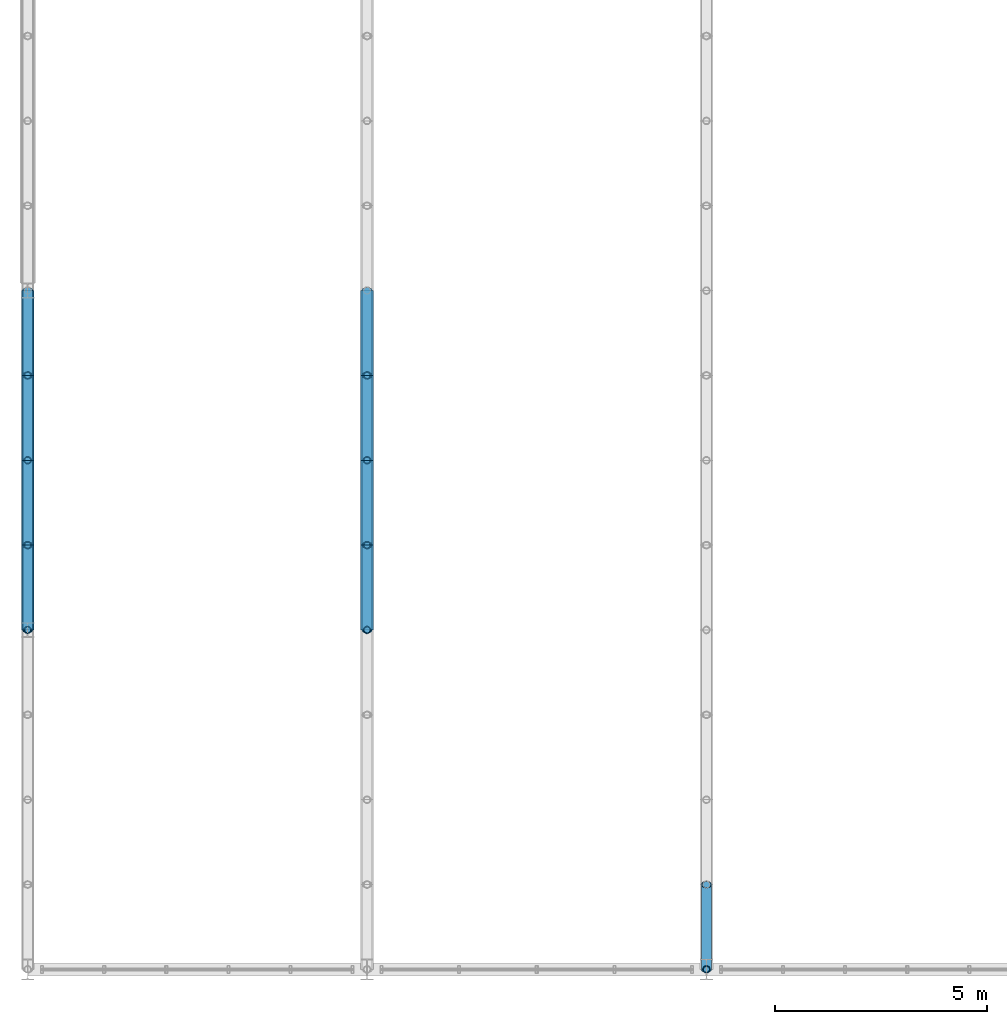
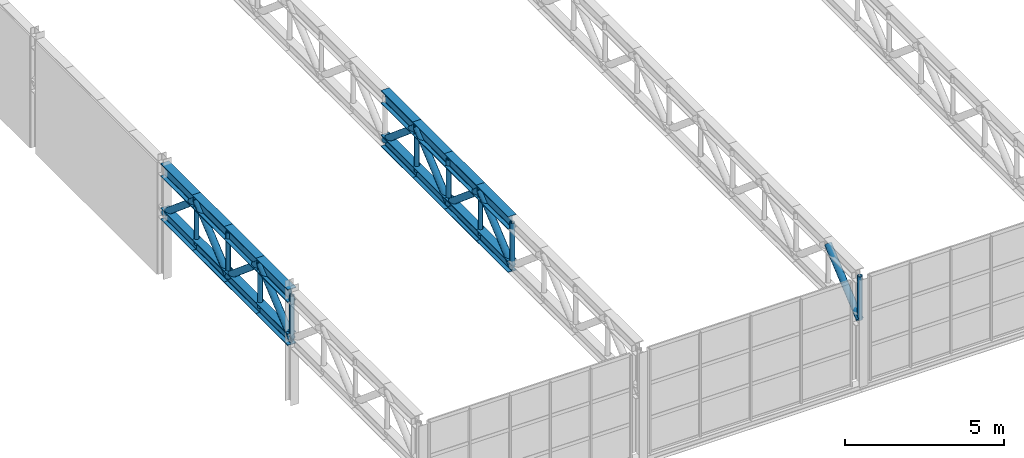
# One storey, part 12 of 67: 34 members.
"""IFC4 building model written with IfcOpenShell, lengths in metres."""

from ifc_helpers import new_model, si_unit, derived_unit, direction, frame, origin, origin_2d, place, context, subcontext, project, spatial, hollow_circle, i_section, extrude, material, material_profile, profile_set, type_object, element, save


model = new_model("IFC4")

# Units and contexts
model_context = context("Model", 3, precision=1e-05, world=origin(), true_north=direction((0.0, 1.0)))
body_context = subcontext(model_context, "Body", "Model", "MODEL_VIEW")
ifc_project = project(units=[si_unit("LENGTHUNIT", "METRE"), si_unit("AREAUNIT", "SQUARE_METRE"), si_unit("VOLUMEUNIT", "CUBIC_METRE"), si_unit("PLANEANGLEUNIT", "RADIAN"), si_unit("MASSUNIT", "GRAM", prefix="KILO"), derived_unit("THERMALTRANSMITTANCEUNIT", [(si_unit("POWERUNIT", "WATT"), 1), (si_unit("LENGTHUNIT", "METRE"), -2), (si_unit("THERMODYNAMICTEMPERATUREUNIT", "KELVIN"), -1)])], contexts=[model_context])

# Site, building, storey
site_placement = place(None, origin())
site = spatial("IfcSite", under=ifc_project, at=site_placement, CompositionType="ELEMENT")
building_placement = place(site_placement, origin())
building = spatial("IfcBuilding", under=site, at=building_placement, Name="Keldorne Ridge Multi-Sports Centre", CompositionType="ELEMENT")
storey_placement = place(building_placement, frame((0.0, 0.0, 14.0)))
storey = spatial("IfcBuildingStorey", under=building, at=storey_placement, Name="L03", CompositionType="ELEMENT", Elevation=14.0)

# Members
ifc_material = material(Name="Steel S355", Category="steel")
ifc_material_profile_1 = material_profile(ifc_material, i_section(OverallWidth=0.300048828125, OverallDepth=0.5, WebThickness=0.014404296875, FlangeThickness=0.028076171875, FilletRadius=0.027099609375, at=origin_2d()), Name="HEB 500")
ifc_profile_set_1 = profile_set([ifc_material_profile_1], Name="Steel S355")
member_type_1 = type_object("IfcMemberType", Name="MEM-TC-03", PredefinedType="CHORD", material=ifc_profile_set_1)
for number, where, z_axis, x_axis, name in (
    (1, (104.0, 14.0, 4.110107421875), (0.0, 1.0, 0.0), (-1.0, 0.0, 0.0), "Stacked Courts Warren TRUSS WT-L04-01 top chord 5"),
    (2, (104.0, 16.0, 4.110107421875), (0.0, 1.0, 0.0), (-1.0, 0.0, 0.0), "Stacked Courts Warren TRUSS WT-L04-01 top chord 6"),
    (3, (104.0, 18.0, 4.110107421875), (0.0, 1.0, 0.0), (-1.0, 0.0, 0.0), "Stacked Courts Warren TRUSS WT-L04-01 top chord 7"),
    (4, (104.0, 20.0, 4.110107421875), (0.0, 1.0, 0.0), (-1.0, 0.0, 0.0), "Stacked Courts Warren TRUSS WT-L04-01 top chord 8"),
    (5, (112.0, 14.0, 4.110107421875), (0.0, 1.0, 0.0), (-1.0, 0.0, 0.0), "Stacked Courts Warren TRUSS WT-L04-02 top chord 5"),
    (6, (112.0, 16.0, 4.110107421875), (0.0, 1.0, 0.0), (-1.0, 0.0, 0.0), "Stacked Courts Warren TRUSS WT-L04-02 top chord 6"),
    (7, (112.0, 18.0, 4.110107421875), (0.0, 1.0, 0.0), (-1.0, 0.0, 0.0), "Stacked Courts Warren TRUSS WT-L04-02 top chord 7"),
    (8, (112.0, 20.0, 4.110107421875), (0.0, 1.0, 0.0), (-1.0, 0.0, 0.0), "Stacked Courts Warren TRUSS WT-L04-02 top chord 8"),
):
    element("IfcMember", number, at=place(storey_placement, frame(where, z_axis=z_axis, x_axis=x_axis)), inside=storey, type_object=member_type_1, Name=name, PredefinedType="CHORD", context=body_context, shape_type="SweptSolid", body=[
        extrude(i_section(OverallWidth=0.300048828125, OverallDepth=0.5, WebThickness=0.014404296875, FlangeThickness=0.028076171875, FilletRadius=0.027099609375, at=origin_2d()), origin(), (0.0, 0.0, 1.0), 2.0),
    ])
ifc_material_profile_2 = material_profile(ifc_material, i_section(OverallWidth=0.300048828125, OverallDepth=0.449951171875, WebThickness=0.013916015625, FlangeThickness=0.02587890625, FilletRadius=0.027099609375, at=origin_2d()), Name="HEB 450")
ifc_profile_set_2 = profile_set([ifc_material_profile_2], Name="Steel S355")
member_type_2 = type_object("IfcMemberType", Name="MEM-TC-04", PredefinedType="CHORD", material=ifc_profile_set_2)
for number, where, z_axis, x_axis, name in (
    (9, (104.0, 14.0, 2.429931640625), (0.0, 1.0, 0.0), (-1.0, 0.0, 0.0), "Stacked Courts Warren TRUSS WT-L04-01 bottom chord 5"),
    (10, (104.0, 16.0, 2.429931640625), (0.0, 1.0, 0.0), (-1.0, 0.0, 0.0), "Stacked Courts Warren TRUSS WT-L04-01 bottom chord 6"),
    (11, (104.0, 18.0, 2.429931640625), (0.0, 1.0, 0.0), (-1.0, 0.0, 0.0), "Stacked Courts Warren TRUSS WT-L04-01 bottom chord 7"),
    (12, (104.0, 20.0, 2.429931640625), (0.0, 1.0, 0.0), (-1.0, 0.0, 0.0), "Stacked Courts Warren TRUSS WT-L04-01 bottom chord 8"),
    (13, (112.0, 14.0, 2.429931640625), (0.0, 1.0, 0.0), (-1.0, 0.0, 0.0), "Stacked Courts Warren TRUSS WT-L04-02 bottom chord 5"),
    (14, (112.0, 16.0, 2.429931640625), (0.0, 1.0, 0.0), (-1.0, 0.0, 0.0), "Stacked Courts Warren TRUSS WT-L04-02 bottom chord 6"),
    (15, (112.0, 18.0, 2.429931640625), (0.0, 1.0, 0.0), (-1.0, 0.0, 0.0), "Stacked Courts Warren TRUSS WT-L04-02 bottom chord 7"),
    (16, (112.0, 20.0, 2.429931640625), (0.0, 1.0, 0.0), (-1.0, 0.0, 0.0), "Stacked Courts Warren TRUSS WT-L04-02 bottom chord 8"),
):
    element("IfcMember", number, at=place(storey_placement, frame(where, z_axis=z_axis, x_axis=x_axis)), inside=storey, type_object=member_type_2, Name=name, PredefinedType="CHORD", context=body_context, shape_type="SweptSolid", body=[
        extrude(i_section(OverallWidth=0.300048828125, OverallDepth=0.449951171875, WebThickness=0.013916015625, FlangeThickness=0.02587890625, FilletRadius=0.027099609375, at=origin_2d()), origin(), (0.0, 0.0, 1.0), 2.0),
    ])
ifc_material_profile_3 = material_profile(ifc_material, hollow_circle(Radius=0.122314453125, WallThickness=0.012451171875, at=origin_2d()), Name="CHS 244.5x12.5")
ifc_profile_set_3 = profile_set([ifc_material_profile_3], Name="Steel S355")
member_type_3 = type_object("IfcMemberType", Name="MEM-TD-02", PredefinedType="BRACE", material=ifc_profile_set_3)
for number, where, z_axis, x_axis, name in (
    (17, (104.0, 14.0, 2.429931640625), (0.0, 0.765671721121, 0.643231541108), (-1.0, 0.0, 0.0), "Stacked Courts Warren TRUSS WT-L04-01 diagonal 5"),
    (18, (104.0, 16.0, 4.110107421875), (0.0, 0.765671721121, -0.643231541108), (-1.0, 0.0, 0.0), "Stacked Courts Warren TRUSS WT-L04-01 diagonal 6"),
    (19, (104.0, 18.0, 2.429931640625), (0.0, 0.765671721121, 0.643231541108), (-1.0, 0.0, 0.0), "Stacked Courts Warren TRUSS WT-L04-01 diagonal 7"),
    (20, (104.0, 20.0, 4.110107421875), (0.0, 0.765671721121, -0.643231541108), (-1.0, 0.0, 0.0), "Stacked Courts Warren TRUSS WT-L04-01 diagonal 8"),
    (21, (112.0, 14.0, 2.429931640625), (0.0, 0.765671721121, 0.643231541108), (-1.0, 0.0, 0.0), "Stacked Courts Warren TRUSS WT-L04-02 diagonal 5"),
    (22, (112.0, 16.0, 4.110107421875), (0.0, 0.765671721121, -0.643231541108), (-1.0, 0.0, 0.0), "Stacked Courts Warren TRUSS WT-L04-02 diagonal 6"),
    (23, (112.0, 18.0, 2.429931640625), (0.0, 0.765671721121, 0.643231541108), (-1.0, 0.0, 0.0), "Stacked Courts Warren TRUSS WT-L04-02 diagonal 7"),
    (24, (112.0, 20.0, 4.110107421875), (0.0, 0.765671721121, -0.643231541108), (-1.0, 0.0, 0.0), "Stacked Courts Warren TRUSS WT-L04-02 diagonal 8"),
    (25, (120.0, 6.0, 2.429931640625), (0.0, 0.765671721121, 0.643231541108), (-1.0, 0.0, 0.0), "Stacked Courts Warren TRUSS WT-L04-03 diagonal 1"),
):
    element("IfcMember", number, at=place(storey_placement, frame(where, z_axis=z_axis, x_axis=x_axis)), inside=storey, type_object=member_type_3, Name=name, PredefinedType="BRACE", context=body_context, shape_type="SweptSolid", body=[
        extrude(hollow_circle(Radius=0.122314453125, WallThickness=0.012451171875, at=origin_2d()), origin(), (0.0, 0.0, 1.0), 2.612060546875),
    ])
ifc_material_profile_4 = material_profile(ifc_material, hollow_circle(Radius=0.084228515625, WallThickness=0.010009765625, at=origin_2d()), Name="CHS 168.3x10")
ifc_profile_set_4 = profile_set([ifc_material_profile_4], Name="Steel S355")
member_type_4 = type_object("IfcMemberType", Name="MEM-TV-01", PredefinedType="STRUT", material=ifc_profile_set_4)
for number, where, z_axis, x_axis, name in (
    (26, (104.0, 14.0, 2.429931640625), (0.0, 0.0, 1.0), (1.0, 0.0, 0.0), "Stacked Courts Warren TRUSS WT-L04-01 post 5"),
    (27, (104.0, 16.0, 2.429931640625), (0.0, 0.0, 1.0), (1.0, 0.0, 0.0), "Stacked Courts Warren TRUSS WT-L04-01 post 6"),
    (28, (104.0, 18.0, 2.429931640625), (0.0, 0.0, 1.0), (1.0, 0.0, 0.0), "Stacked Courts Warren TRUSS WT-L04-01 post 7"),
    (29, (104.0, 20.0, 2.429931640625), (0.0, 0.0, 1.0), (1.0, 0.0, 0.0), "Stacked Courts Warren TRUSS WT-L04-01 post 8"),
    (30, (112.0, 14.0, 2.429931640625), (0.0, 0.0, 1.0), (1.0, 0.0, 0.0), "Stacked Courts Warren TRUSS WT-L04-02 post 5"),
    (31, (112.0, 16.0, 2.429931640625), (0.0, 0.0, 1.0), (1.0, 0.0, 0.0), "Stacked Courts Warren TRUSS WT-L04-02 post 6"),
    (32, (112.0, 18.0, 2.429931640625), (0.0, 0.0, 1.0), (1.0, 0.0, 0.0), "Stacked Courts Warren TRUSS WT-L04-02 post 7"),
    (33, (112.0, 20.0, 2.429931640625), (0.0, 0.0, 1.0), (1.0, 0.0, 0.0), "Stacked Courts Warren TRUSS WT-L04-02 post 8"),
    (34, (120.0, 6.0, 2.429931640625), (0.0, 0.0, 1.0), (1.0, 0.0, 0.0), "Stacked Courts Warren TRUSS WT-L04-03 post 1"),
):
    element("IfcMember", number, at=place(storey_placement, frame(where, z_axis=z_axis, x_axis=x_axis)), inside=storey, type_object=member_type_4, Name=name, PredefinedType="STRUT", context=body_context, shape_type="SweptSolid", body=[
        extrude(hollow_circle(Radius=0.084228515625, WallThickness=0.010009765625, at=origin_2d()), origin(), (0.0, 0.0, 1.0), 1.68017578125),
    ])

save(model, "model.ifc")
